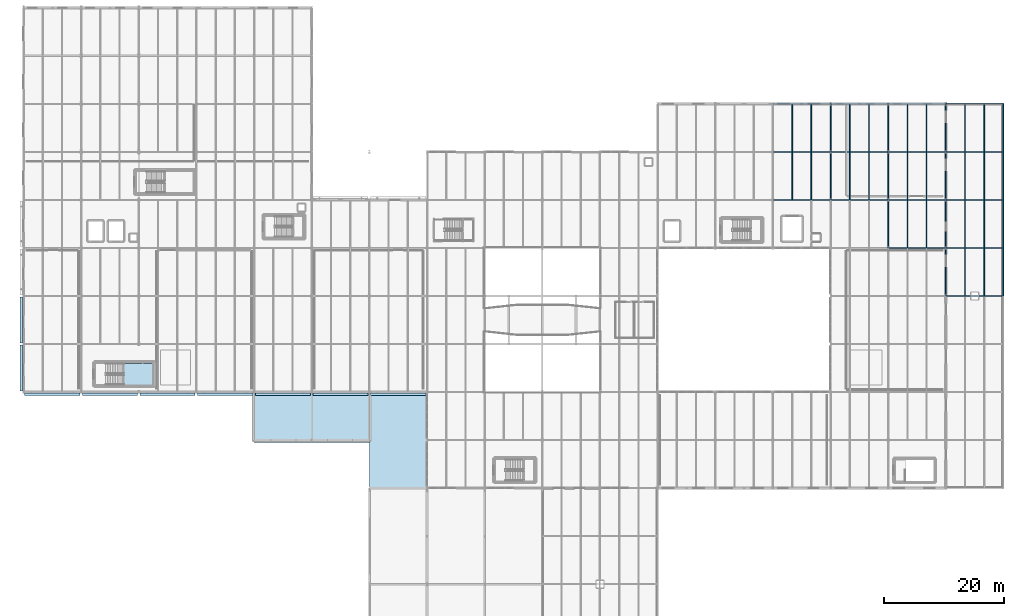
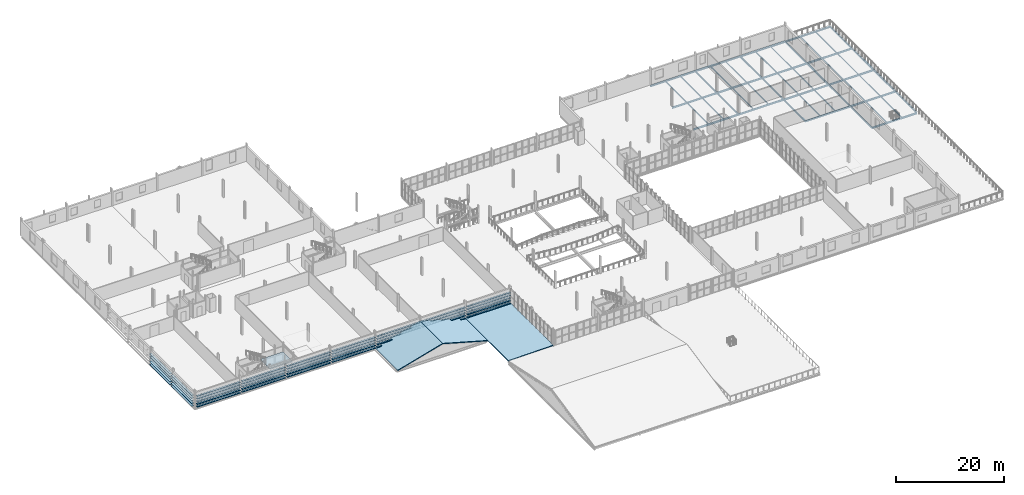
# One storey, part 57 of 85: 50 beams, 45 plates, 4 slabs, 1 element without a shape of its own.
"""IFC4 building model written with IfcOpenShell, lengths in metres."""

from ifc_helpers import new_model, si_unit, direction, frame, origin, origin_2d, place, context, subcontext, project, spatial, polyline, rectangle, i_section, outline, extrude, material, layer, layer_set, material_profile, profile_set, type_object, element, aggregate, save


model = new_model("IFC4")

# Units and contexts
model_context = context("Model", 3, precision=1e-05, world=origin(), true_north=direction((0.0, 1.0)))
body_context = subcontext(model_context, "Body", "Model", "MODEL_VIEW")
ifc_project = project(units=[si_unit("LENGTHUNIT", "METRE"), si_unit("AREAUNIT", "SQUARE_METRE"), si_unit("VOLUMEUNIT", "CUBIC_METRE"), si_unit("PLANEANGLEUNIT", "RADIAN"), si_unit("MASSUNIT", "GRAM", prefix="KILO")], contexts=[model_context])

# Site, building, storey
site_placement = place(None, origin())
site = spatial("IfcSite", under=ifc_project, at=site_placement, CompositionType="ELEMENT")
building_placement = place(site_placement, origin())
building = spatial("IfcBuilding", under=site, at=building_placement, Name="Alderhovde Museum", CompositionType="ELEMENT")
storey_placement = place(building_placement, frame((0.0, 0.0, 8.699951171875)))
storey = spatial("IfcBuildingStorey", under=building, at=storey_placement, Name="L02", CompositionType="ELEMENT", Elevation=8.699951171875)

# Beams
ifc_material_1 = material(Name="Steel S355J2", Category="steel")
ifc_material_profile_1 = material_profile(ifc_material_1, i_section(OverallWidth=0.169921875, OverallDepth=0.360107421875, WebThickness=0.008056640625, FlangeThickness=0.0126953125, FilletRadius=0.01806640625, at=origin_2d()), Name="IPE 360")
ifc_profile_set_1 = profile_set([ifc_material_profile_1], Name="Steel S355J2")
beam_type_1 = type_object("IfcBeamType", Name="BM-IPE360", PredefinedType="BEAM", material=ifc_profile_set_1)
for number, where, z_axis, x_axis, name in (
    (1, (144.0, 80.0, -0.43994140625), (0.0, 1.0, 0.0), (-1.0, 0.0, 0.0), "L02 Grid Beam X=144.0 (80.0 TO 88.0)"),
    (2, (144.0, 88.0, -0.43994140625), (0.0, 1.0, 0.0), (-1.0, 0.0, 0.0), "L02 Grid Beam X=144.0 (88.0 TO 96.0)"),
    (3, (153.60009765625, 72.0, -0.43994140625), (0.0, 1.0, 0.0), (-1.0, 0.0, 0.0), "L02 Grid Beam X=153.6 (72.0 TO 80.0)"),
    (4, (153.60009765625, 80.0, -0.43994140625), (0.0, 1.0, 0.0), (-1.0, 0.0, 0.0), "L02 Grid Beam X=153.6 (80.0 TO 88.0)"),
    (5, (153.60009765625, 88.0, -0.43994140625), (0.0, 1.0, 0.0), (-1.0, 0.0, 0.0), "L02 Grid Beam X=153.6 (88.0 TO 96.0)"),
    (6, (163.199951171875, 64.0, -0.47998046875), (0.0, 1.0, 0.0), (-1.0, 0.0, 0.0), "L02 Grid Beam X=163.2 (64.0 TO 72.0)"),
    (7, (163.199951171875, 72.0, -0.47998046875), (0.0, 1.0, 0.0), (-1.0, 0.0, 0.0), "L02 Grid Beam X=163.2 (72.0 TO 80.0)"),
    (8, (163.199951171875, 80.0, -0.47998046875), (0.0, 1.0, 0.0), (-1.0, 0.0, 0.0), "L02 Grid Beam X=163.2 (80.0 TO 88.0)"),
    (9, (163.199951171875, 88.0, -0.47998046875), (0.0, 1.0, 0.0), (-1.0, 0.0, 0.0), "L02 Grid Beam X=163.2 (88.0 TO 96.0)"),
    (10, (172.800048828125, 64.0, -0.47998046875), (0.0, 1.0, 0.0), (-1.0, 0.0, 0.0), "L02 Grid Beam X=172.8 (64.0 TO 72.0)"),
    (11, (172.800048828125, 72.0, -0.47998046875), (0.0, 1.0, 0.0), (-1.0, 0.0, 0.0), "L02 Grid Beam X=172.8 (72.0 TO 80.0)"),
    (12, (172.800048828125, 80.0, -0.47998046875), (0.0, 1.0, 0.0), (-1.0, 0.0, 0.0), "L02 Grid Beam X=172.8 (80.0 TO 88.0)"),
    (13, (172.800048828125, 88.0, -0.47998046875), (0.0, 1.0, 0.0), (-1.0, 0.0, 0.0), "L02 Grid Beam X=172.8 (88.0 TO 96.0)"),
):
    element("IfcBeam", number, at=place(storey_placement, frame(where, z_axis=z_axis, x_axis=x_axis)), inside=storey, type_object=beam_type_1, Name=name, PredefinedType="BEAM", context=body_context, shape_type="SweptSolid", body=[
        extrude(i_section(OverallWidth=0.169921875, OverallDepth=0.360107421875, WebThickness=0.008056640625, FlangeThickness=0.0126953125, FilletRadius=0.01806640625, at=origin_2d()), origin(), (0.0, 0.0, 1.0), 8.0),
    ])
ifc_material_2 = material(Name="Steel S355J2", Category="steel")
ifc_material_profile_2 = material_profile(ifc_material_2, i_section(OverallWidth=0.179931640625, OverallDepth=0.39990234375, WebThickness=0.008544921875, FlangeThickness=0.013427734375, FilletRadius=0.02099609375, at=origin_2d()), Name="IPE 400")
ifc_profile_set_2 = profile_set([ifc_material_profile_2], Name="Steel S355J2")
beam_type_2 = type_object("IfcBeamType", Name="BM-IPE400", PredefinedType="BEAM", material=ifc_profile_set_2)
beam_1_placement = place(storey_placement, frame((163.199951171875, 64.0, -0.5), z_axis=(1.0, 0.0, 0.0), x_axis=(0.0, 1.0, 0.0)))
element("IfcBeam", 14, at=beam_1_placement, inside=storey, type_object=beam_type_2, Name="L02 Grid Beam Y=64.0 (163.2 TO 172.8)", PredefinedType="BEAM", context=body_context, shape_type="SweptSolid", body=[
    extrude(i_section(OverallWidth=0.179931640625, OverallDepth=0.39990234375, WebThickness=0.008544921875, FlangeThickness=0.013427734375, FilletRadius=0.02099609375, at=origin_2d()), origin(), (0.0, 0.0, 1.0), 9.60009765625),
])
beam_2_placement = place(storey_placement, frame((153.60009765625, 72.0, -0.5), z_axis=(1.0, 0.0, 0.0), x_axis=(0.0, 1.0, 0.0)))
element("IfcBeam", 15, at=beam_2_placement, inside=storey, type_object=beam_type_2, Name="L02 Grid Beam Y=72.0 (153.6 TO 163.2)", PredefinedType="BEAM", context=body_context, shape_type="SweptSolid", body=[
    extrude(i_section(OverallWidth=0.179931640625, OverallDepth=0.39990234375, WebThickness=0.008544921875, FlangeThickness=0.013427734375, FilletRadius=0.02099609375, at=origin_2d()), origin(), (0.0, 0.0, 1.0), 9.599853515625),
])
for number, where, z_axis, x_axis, name in (
    (16, (163.199951171875, 72.0, -0.5), (1.0, 0.0, 0.0), (0.0, 1.0, 0.0), "L02 Grid Beam Y=72.0 (163.2 TO 172.8)"),
    (17, (134.39990234375, 80.0, -0.4599609375), (1.0, 0.0, 0.0), (0.0, 1.0, 0.0), "L02 Grid Beam Y=80.0 (134.4 TO 144.0)"),
    (18, (144.0, 80.0, -0.4599609375), (1.0, 0.0, 0.0), (0.0, 1.0, 0.0), "L02 Grid Beam Y=80.0 (144.0 TO 153.6)"),
):
    element("IfcBeam", number, at=place(storey_placement, frame(where, z_axis=z_axis, x_axis=x_axis)), inside=storey, type_object=beam_type_2, Name=name, PredefinedType="BEAM", context=body_context, shape_type="SweptSolid", body=[
        extrude(i_section(OverallWidth=0.179931640625, OverallDepth=0.39990234375, WebThickness=0.008544921875, FlangeThickness=0.013427734375, FilletRadius=0.02099609375, at=origin_2d()), origin(), (0.0, 0.0, 1.0), 9.60009765625),
    ])
beam_3_placement = place(storey_placement, frame((153.60009765625, 80.0, -0.5), z_axis=(1.0, 0.0, 0.0), x_axis=(0.0, 1.0, 0.0)))
element("IfcBeam", 19, at=beam_3_placement, inside=storey, type_object=beam_type_2, Name="L02 Grid Beam Y=80.0 (153.6 TO 163.2)", PredefinedType="BEAM", context=body_context, shape_type="SweptSolid", body=[
    extrude(i_section(OverallWidth=0.179931640625, OverallDepth=0.39990234375, WebThickness=0.008544921875, FlangeThickness=0.013427734375, FilletRadius=0.02099609375, at=origin_2d()), origin(), (0.0, 0.0, 1.0), 9.599853515625),
])
for number, where, z_axis, x_axis, name in (
    (20, (163.199951171875, 80.0, -0.5), (1.0, 0.0, 0.0), (0.0, 1.0, 0.0), "L02 Grid Beam Y=80.0 (163.2 TO 172.8)"),
    (21, (134.39990234375, 88.0, -0.4599609375), (1.0, 0.0, 0.0), (0.0, 1.0, 0.0), "L02 Grid Beam Y=88.0 (134.4 TO 144.0)"),
    (22, (144.0, 88.0, -0.4599609375), (1.0, 0.0, 0.0), (0.0, 1.0, 0.0), "L02 Grid Beam Y=88.0 (144.0 TO 153.6)"),
):
    element("IfcBeam", number, at=place(storey_placement, frame(where, z_axis=z_axis, x_axis=x_axis)), inside=storey, type_object=beam_type_2, Name=name, PredefinedType="BEAM", context=body_context, shape_type="SweptSolid", body=[
        extrude(i_section(OverallWidth=0.179931640625, OverallDepth=0.39990234375, WebThickness=0.008544921875, FlangeThickness=0.013427734375, FilletRadius=0.02099609375, at=origin_2d()), origin(), (0.0, 0.0, 1.0), 9.60009765625),
    ])
beam_4_placement = place(storey_placement, frame((153.60009765625, 88.0, -0.5), z_axis=(1.0, 0.0, 0.0), x_axis=(0.0, 1.0, 0.0)))
element("IfcBeam", 23, at=beam_4_placement, inside=storey, type_object=beam_type_2, Name="L02 Grid Beam Y=88.0 (153.6 TO 163.2)", PredefinedType="BEAM", context=body_context, shape_type="SweptSolid", body=[
    extrude(i_section(OverallWidth=0.179931640625, OverallDepth=0.39990234375, WebThickness=0.008544921875, FlangeThickness=0.013427734375, FilletRadius=0.02099609375, at=origin_2d()), origin(), (0.0, 0.0, 1.0), 9.599853515625),
])
beam_5_placement = place(storey_placement, frame((163.199951171875, 88.0, -0.5), z_axis=(1.0, 0.0, 0.0), x_axis=(0.0, 1.0, 0.0)))
element("IfcBeam", 24, at=beam_5_placement, inside=storey, type_object=beam_type_2, Name="L02 Grid Beam Y=88.0 (163.2 TO 172.8)", PredefinedType="BEAM", context=body_context, shape_type="SweptSolid", body=[
    extrude(i_section(OverallWidth=0.179931640625, OverallDepth=0.39990234375, WebThickness=0.008544921875, FlangeThickness=0.013427734375, FilletRadius=0.02099609375, at=origin_2d()), origin(), (0.0, 0.0, 1.0), 9.60009765625),
])
ifc_material_3 = material(Name="Steel S355J2", Category="steel")
ifc_material_profile_3 = material_profile(ifc_material_3, i_section(OverallWidth=0.1201171875, OverallDepth=0.239990234375, WebThickness=0.006103515625, FlangeThickness=0.009765625, FilletRadius=0.014892578125, at=origin_2d()), Name="IPE 240")
ifc_profile_set_3 = profile_set([ifc_material_profile_3], Name="Steel S355J2")
beam_type_3 = type_object("IfcBeamType", Name="JST-IPE240", PredefinedType="JOIST", material=ifc_profile_set_3)
beam_6_placement = place(storey_placement, frame((140.800048828125, 80.090087890625, -0.3798828125), z_axis=(0.0, 1.0, 0.0), x_axis=(-1.0, 0.0, 0.0)))
element("IfcBeam", 25, at=beam_6_placement, inside=storey, type_object=beam_type_3, Name="L02 Composite Joist X=140.8 (80.0 TO 88.0)", PredefinedType="JOIST", context=body_context, shape_type="SweptSolid", body=[
    extrude(i_section(OverallWidth=0.1201171875, OverallDepth=0.239990234375, WebThickness=0.006103515625, FlangeThickness=0.009765625, FilletRadius=0.014892578125, at=origin_2d()), origin(), (0.0, 0.0, 1.0), 7.81982421875),
])
beam_7_placement = place(storey_placement, frame((140.800048828125, 88.090087890625, -0.3798828125), z_axis=(0.0, 1.0, 0.0), x_axis=(-1.0, 0.0, 0.0)))
element("IfcBeam", 26, at=beam_7_placement, inside=storey, type_object=beam_type_3, Name="L02 Composite Joist X=140.8 (88.0 TO 96.0)", PredefinedType="JOIST", context=body_context, shape_type="SweptSolid", body=[
    extrude(i_section(OverallWidth=0.1201171875, OverallDepth=0.239990234375, WebThickness=0.006103515625, FlangeThickness=0.009765625, FilletRadius=0.014892578125, at=origin_2d()), origin(), (0.0, 0.0, 1.0), 7.760009765625),
])
beam_8_placement = place(storey_placement, frame((150.39990234375, 80.090087890625, -0.3798828125), z_axis=(0.0, 1.0, 0.0), x_axis=(-1.0, 0.0, 0.0)))
element("IfcBeam", 27, at=beam_8_placement, inside=storey, type_object=beam_type_3, Name="L02 Composite Joist X=150.4 (80.0 TO 88.0)", PredefinedType="JOIST", context=body_context, shape_type="SweptSolid", body=[
    extrude(i_section(OverallWidth=0.1201171875, OverallDepth=0.239990234375, WebThickness=0.006103515625, FlangeThickness=0.009765625, FilletRadius=0.014892578125, at=origin_2d()), origin(), (0.0, 0.0, 1.0), 7.81982421875),
])
beam_9_placement = place(storey_placement, frame((150.39990234375, 88.090087890625, -0.3798828125), z_axis=(0.0, 1.0, 0.0), x_axis=(-1.0, 0.0, 0.0)))
element("IfcBeam", 28, at=beam_9_placement, inside=storey, type_object=beam_type_3, Name="L02 Composite Joist X=150.4 (88.0 TO 96.0)", PredefinedType="JOIST", context=body_context, shape_type="SweptSolid", body=[
    extrude(i_section(OverallWidth=0.1201171875, OverallDepth=0.239990234375, WebThickness=0.006103515625, FlangeThickness=0.009765625, FilletRadius=0.014892578125, at=origin_2d()), origin(), (0.0, 0.0, 1.0), 7.760009765625),
])
for number, where, z_axis, x_axis, name in (
    (29, (160.0, 72.090087890625, -0.3798828125), (0.0, 1.0, 0.0), (-1.0, 0.0, 0.0), "L02 Composite Joist X=160.0 (72.0 TO 80.0)"),
    (30, (160.0, 80.090087890625, -0.3798828125), (0.0, 1.0, 0.0), (-1.0, 0.0, 0.0), "L02 Composite Joist X=160.0 (80.0 TO 88.0)"),
):
    element("IfcBeam", number, at=place(storey_placement, frame(where, z_axis=z_axis, x_axis=x_axis)), inside=storey, type_object=beam_type_3, Name=name, PredefinedType="JOIST", context=body_context, shape_type="SweptSolid", body=[
        extrude(i_section(OverallWidth=0.1201171875, OverallDepth=0.239990234375, WebThickness=0.006103515625, FlangeThickness=0.009765625, FilletRadius=0.014892578125, at=origin_2d()), origin(), (0.0, 0.0, 1.0), 7.81982421875),
    ])
beam_10_placement = place(storey_placement, frame((160.0, 88.090087890625, -0.3798828125), z_axis=(0.0, 1.0, 0.0), x_axis=(-1.0, 0.0, 0.0)))
element("IfcBeam", 31, at=beam_10_placement, inside=storey, type_object=beam_type_3, Name="L02 Composite Joist X=160.0 (88.0 TO 96.0)", PredefinedType="JOIST", context=body_context, shape_type="SweptSolid", body=[
    extrude(i_section(OverallWidth=0.1201171875, OverallDepth=0.239990234375, WebThickness=0.006103515625, FlangeThickness=0.009765625, FilletRadius=0.014892578125, at=origin_2d()), origin(), (0.0, 0.0, 1.0), 7.760009765625),
])
for number, where, z_axis, x_axis, name in (
    (32, (169.60009765625, 64.090087890625, -0.419921875), (0.0, 1.0, 0.0), (-1.0, 0.0, 0.0), "L02 Composite Joist X=169.6 (64.0 TO 72.0)"),
    (33, (169.60009765625, 72.090087890625, -0.419921875), (0.0, 1.0, 0.0), (-1.0, 0.0, 0.0), "L02 Composite Joist X=169.6 (72.0 TO 80.0)"),
    (34, (169.60009765625, 80.090087890625, -0.419921875), (0.0, 1.0, 0.0), (-1.0, 0.0, 0.0), "L02 Composite Joist X=169.6 (80.0 TO 88.0)"),
):
    element("IfcBeam", number, at=place(storey_placement, frame(where, z_axis=z_axis, x_axis=x_axis)), inside=storey, type_object=beam_type_3, Name=name, PredefinedType="JOIST", context=body_context, shape_type="SweptSolid", body=[
        extrude(i_section(OverallWidth=0.1201171875, OverallDepth=0.239990234375, WebThickness=0.006103515625, FlangeThickness=0.009765625, FilletRadius=0.014892578125, at=origin_2d()), origin(), (0.0, 0.0, 1.0), 7.81982421875),
    ])
beam_11_placement = place(storey_placement, frame((169.60009765625, 88.090087890625, -0.419921875), z_axis=(0.0, 1.0, 0.0), x_axis=(-1.0, 0.0, 0.0)))
element("IfcBeam", 35, at=beam_11_placement, inside=storey, type_object=beam_type_3, Name="L02 Composite Joist X=169.6 (88.0 TO 96.0)", PredefinedType="JOIST", context=body_context, shape_type="SweptSolid", body=[
    extrude(i_section(OverallWidth=0.1201171875, OverallDepth=0.239990234375, WebThickness=0.006103515625, FlangeThickness=0.009765625, FilletRadius=0.014892578125, at=origin_2d()), origin(), (0.0, 0.0, 1.0), 7.760009765625),
])
ifc_material_4 = material(Name="Steel S355J2", Category="steel")
ifc_material_profile_4 = material_profile(ifc_material_4, i_section(OverallWidth=0.135009765625, OverallDepth=0.27001953125, WebThickness=0.006591796875, FlangeThickness=0.01025390625, FilletRadius=0.014892578125, at=origin_2d()), Name="IPE 270")
ifc_profile_set_4 = profile_set([ifc_material_profile_4], Name="Steel S355J2")
beam_type_4 = type_object("IfcBeamType", Name="JST-IPE270", PredefinedType="JOIST", material=ifc_profile_set_4)
beam_12_placement = place(storey_placement, frame((137.60009765625, 80.090087890625, -0.39501953125), z_axis=(0.0, 1.0, 0.0), x_axis=(-1.0, 0.0, 0.0)))
element("IfcBeam", 36, at=beam_12_placement, inside=storey, type_object=beam_type_4, Name="L02 Composite Joist X=137.6 (80.0 TO 88.0)", PredefinedType="JOIST", context=body_context, shape_type="SweptSolid", body=[
    extrude(i_section(OverallWidth=0.135009765625, OverallDepth=0.27001953125, WebThickness=0.006591796875, FlangeThickness=0.01025390625, FilletRadius=0.014892578125, at=origin_2d()), origin(), (0.0, 0.0, 1.0), 7.81982421875),
])
beam_13_placement = place(storey_placement, frame((137.60009765625, 88.090087890625, -0.39501953125), z_axis=(0.0, 1.0, 0.0), x_axis=(-1.0, 0.0, 0.0)))
element("IfcBeam", 37, at=beam_13_placement, inside=storey, type_object=beam_type_4, Name="L02 Composite Joist X=137.6 (88.0 TO 96.0)", PredefinedType="JOIST", context=body_context, shape_type="SweptSolid", body=[
    extrude(i_section(OverallWidth=0.135009765625, OverallDepth=0.27001953125, WebThickness=0.006591796875, FlangeThickness=0.01025390625, FilletRadius=0.014892578125, at=origin_2d()), origin(), (0.0, 0.0, 1.0), 7.760009765625),
])
beam_14_placement = place(storey_placement, frame((147.199951171875, 80.090087890625, -0.39501953125), z_axis=(0.0, 1.0, 0.0), x_axis=(-1.0, 0.0, 0.0)))
element("IfcBeam", 38, at=beam_14_placement, inside=storey, type_object=beam_type_4, Name="L02 Composite Joist X=147.2 (80.0 TO 88.0)", PredefinedType="JOIST", context=body_context, shape_type="SweptSolid", body=[
    extrude(i_section(OverallWidth=0.135009765625, OverallDepth=0.27001953125, WebThickness=0.006591796875, FlangeThickness=0.01025390625, FilletRadius=0.014892578125, at=origin_2d()), origin(), (0.0, 0.0, 1.0), 7.81982421875),
])
beam_15_placement = place(storey_placement, frame((147.199951171875, 88.090087890625, -0.39501953125), z_axis=(0.0, 1.0, 0.0), x_axis=(-1.0, 0.0, 0.0)))
element("IfcBeam", 39, at=beam_15_placement, inside=storey, type_object=beam_type_4, Name="L02 Composite Joist X=147.2 (88.0 TO 96.0)", PredefinedType="JOIST", context=body_context, shape_type="SweptSolid", body=[
    extrude(i_section(OverallWidth=0.135009765625, OverallDepth=0.27001953125, WebThickness=0.006591796875, FlangeThickness=0.01025390625, FilletRadius=0.014892578125, at=origin_2d()), origin(), (0.0, 0.0, 1.0), 7.760009765625),
])
for number, where, z_axis, x_axis, name in (
    (40, (156.800048828125, 72.090087890625, -0.39501953125), (0.0, 1.0, 0.0), (-1.0, 0.0, 0.0), "L02 Composite Joist X=156.8 (72.0 TO 80.0)"),
    (41, (156.800048828125, 80.090087890625, -0.39501953125), (0.0, 1.0, 0.0), (-1.0, 0.0, 0.0), "L02 Composite Joist X=156.8 (80.0 TO 88.0)"),
):
    element("IfcBeam", number, at=place(storey_placement, frame(where, z_axis=z_axis, x_axis=x_axis)), inside=storey, type_object=beam_type_4, Name=name, PredefinedType="JOIST", context=body_context, shape_type="SweptSolid", body=[
        extrude(i_section(OverallWidth=0.135009765625, OverallDepth=0.27001953125, WebThickness=0.006591796875, FlangeThickness=0.01025390625, FilletRadius=0.014892578125, at=origin_2d()), origin(), (0.0, 0.0, 1.0), 7.81982421875),
    ])
beam_16_placement = place(storey_placement, frame((156.800048828125, 88.090087890625, -0.39501953125), z_axis=(0.0, 1.0, 0.0), x_axis=(-1.0, 0.0, 0.0)))
element("IfcBeam", 42, at=beam_16_placement, inside=storey, type_object=beam_type_4, Name="L02 Composite Joist X=156.8 (88.0 TO 96.0)", PredefinedType="JOIST", context=body_context, shape_type="SweptSolid", body=[
    extrude(i_section(OverallWidth=0.135009765625, OverallDepth=0.27001953125, WebThickness=0.006591796875, FlangeThickness=0.01025390625, FilletRadius=0.014892578125, at=origin_2d()), origin(), (0.0, 0.0, 1.0), 7.760009765625),
])
for number, where, z_axis, x_axis, name in (
    (43, (166.39990234375, 64.090087890625, -0.43505859375), (0.0, 1.0, 0.0), (-1.0, 0.0, 0.0), "L02 Composite Joist X=166.4 (64.0 TO 72.0)"),
    (44, (166.39990234375, 72.090087890625, -0.43505859375), (0.0, 1.0, 0.0), (-1.0, 0.0, 0.0), "L02 Composite Joist X=166.4 (72.0 TO 80.0)"),
    (45, (166.39990234375, 80.090087890625, -0.43505859375), (0.0, 1.0, 0.0), (-1.0, 0.0, 0.0), "L02 Composite Joist X=166.4 (80.0 TO 88.0)"),
):
    element("IfcBeam", number, at=place(storey_placement, frame(where, z_axis=z_axis, x_axis=x_axis)), inside=storey, type_object=beam_type_4, Name=name, PredefinedType="JOIST", context=body_context, shape_type="SweptSolid", body=[
        extrude(i_section(OverallWidth=0.135009765625, OverallDepth=0.27001953125, WebThickness=0.006591796875, FlangeThickness=0.01025390625, FilletRadius=0.014892578125, at=origin_2d()), origin(), (0.0, 0.0, 1.0), 7.81982421875),
    ])
beam_17_placement = place(storey_placement, frame((166.39990234375, 88.090087890625, -0.43505859375), z_axis=(0.0, 1.0, 0.0), x_axis=(-1.0, 0.0, 0.0)))
element("IfcBeam", 46, at=beam_17_placement, inside=storey, type_object=beam_type_4, Name="L02 Composite Joist X=166.4 (88.0 TO 96.0)", PredefinedType="JOIST", context=body_context, shape_type="SweptSolid", body=[
    extrude(i_section(OverallWidth=0.135009765625, OverallDepth=0.27001953125, WebThickness=0.006591796875, FlangeThickness=0.01025390625, FilletRadius=0.014892578125, at=origin_2d()), origin(), (0.0, 0.0, 1.0), 7.760009765625),
])
ifc_material_5 = material(Name="Steel S355J2", Category="steel")
ifc_material_profile_5 = material_profile(ifc_material_5, i_section(OverallWidth=0.300048828125, OverallDepth=0.2900390625, WebThickness=0.008544921875, FlangeThickness=0.013916015625, FilletRadius=0.027099609375, at=origin_2d()), Name="HEA 300")
ifc_profile_set_5 = profile_set([ifc_material_profile_5], Name="Steel S355J2")
beam_type_5 = type_object("IfcBeamType", Name="SPD-HEA300", PredefinedType="SPANDREL", material=ifc_profile_set_5)
for number, where, z_axis, x_axis, name in (
    (47, (134.39990234375, 96.0, -0.405029296875), (1.0, 0.0, 0.0), (0.0, 1.0, 0.0), "L02 Grid Beam Y=96.0 (134.4 TO 144.0)"),
    (48, (144.0, 96.0, -0.405029296875), (1.0, 0.0, 0.0), (0.0, 1.0, 0.0), "L02 Grid Beam Y=96.0 (144.0 TO 153.6)"),
):
    element("IfcBeam", number, at=place(storey_placement, frame(where, z_axis=z_axis, x_axis=x_axis)), inside=storey, type_object=beam_type_5, Name=name, PredefinedType="SPANDREL", context=body_context, shape_type="SweptSolid", body=[
        extrude(i_section(OverallWidth=0.300048828125, OverallDepth=0.2900390625, WebThickness=0.008544921875, FlangeThickness=0.013916015625, FilletRadius=0.027099609375, at=origin_2d()), origin(), (0.0, 0.0, 1.0), 9.60009765625),
    ])
beam_18_placement = place(storey_placement, frame((153.60009765625, 96.0, -0.445068359375), z_axis=(1.0, 0.0, 0.0), x_axis=(0.0, 1.0, 0.0)))
element("IfcBeam", 49, at=beam_18_placement, inside=storey, type_object=beam_type_5, Name="L02 Grid Beam Y=96.0 (153.6 TO 163.2)", PredefinedType="SPANDREL", context=body_context, shape_type="SweptSolid", body=[
    extrude(i_section(OverallWidth=0.300048828125, OverallDepth=0.2900390625, WebThickness=0.008544921875, FlangeThickness=0.013916015625, FilletRadius=0.027099609375, at=origin_2d()), origin(), (0.0, 0.0, 1.0), 9.599853515625),
])
beam_19_placement = place(storey_placement, frame((163.199951171875, 96.0, -0.445068359375), z_axis=(1.0, 0.0, 0.0), x_axis=(0.0, 1.0, 0.0)))
element("IfcBeam", 50, at=beam_19_placement, inside=storey, type_object=beam_type_5, Name="L02 Grid Beam Y=96.0 (163.2 TO 172.8)", PredefinedType="SPANDREL", context=body_context, shape_type="SweptSolid", body=[
    extrude(i_section(OverallWidth=0.300048828125, OverallDepth=0.2900390625, WebThickness=0.008544921875, FlangeThickness=0.013916015625, FilletRadius=0.027099609375, at=origin_2d()), origin(), (0.0, 0.0, 1.0), 9.60009765625),
])

# Plates
ifc_material_6 = material(Name="Bronze-Anodised Aluminium EN AW-6063-T6", Category="aluminium")
ifc_layer_1 = layer(ifc_material_6, 0.06494140625)
ifc_layer_set_1 = layer_set([ifc_layer_1], Name="Bronze-Anodised Aluminium EN AW-6063-T6")
plate_type = type_object("IfcPlateType", Name="LV-BLADE-450", PredefinedType="USERDEFINED", material=ifc_layer_set_1)
for number, where, z_axis, x_axis, name in (
    (51, (9.2451171875, 52.0, 0.267578125), (0.0, 0.0, 1.0), (0.0, 1.0, 0.0), "L02 Wrap-Around Horizontal Louvre 62"),
    (52, (9.2451171875, 52.0, 0.86767578125), (0.0, 0.0, 1.0), (0.0, 1.0, 0.0), "L02 Wrap-Around Horizontal Louvre 63"),
    (53, (9.2451171875, 52.0, 1.467529296875), (0.0, 0.0, 1.0), (0.0, 1.0, 0.0), "L02 Wrap-Around Horizontal Louvre 64"),
    (54, (9.2451171875, 52.0, 2.067626953125), (0.0, 0.0, 1.0), (0.0, 1.0, 0.0), "L02 Wrap-Around Horizontal Louvre 65"),
    (55, (9.2451171875, 52.0, 2.66748046875), (0.0, 0.0, 1.0), (0.0, 1.0, 0.0), "L02 Wrap-Around Horizontal Louvre 66"),
    (56, (9.2451171875, 60.0, 0.267578125), (0.0, 0.0, 1.0), (0.0, 1.0, 0.0), "L02 Wrap-Around Horizontal Louvre 67"),
    (57, (9.2451171875, 60.0, 0.86767578125), (0.0, 0.0, 1.0), (0.0, 1.0, 0.0), "L02 Wrap-Around Horizontal Louvre 68"),
    (58, (9.2451171875, 60.0, 1.467529296875), (0.0, 0.0, 1.0), (0.0, 1.0, 0.0), "L02 Wrap-Around Horizontal Louvre 69"),
    (59, (9.2451171875, 60.0, 2.067626953125), (0.0, 0.0, 1.0), (0.0, 1.0, 0.0), "L02 Wrap-Around Horizontal Louvre 70"),
    (60, (9.2451171875, 60.0, 2.66748046875), (0.0, 0.0, 1.0), (0.0, 1.0, 0.0), "L02 Wrap-Around Horizontal Louvre 71"),
):
    element("IfcPlate", number, at=place(storey_placement, frame(where, z_axis=z_axis, x_axis=x_axis)), inside=storey, type_object=plate_type, Name=name, ObjectType="LOUVRE BLADE", PredefinedType="USERDEFINED", context=body_context, shape_type="SweptSolid", body=[
        extrude(rectangle(XDim=7.60009765625, YDim=0.449951171875, at=origin_2d()), origin(), (0.0, 0.0, 1.0), 0.06494140625),
    ])
for number, where, z_axis, x_axis, name in (
    (61, (14.39990234375, 47.64501953125, 0.267578125), (0.0, 0.0, 1.0), (1.0, 0.0, 0.0), "L02 Wrap-Around Horizontal Louvre 82"),
    (62, (14.39990234375, 47.64501953125, 0.86767578125), (0.0, 0.0, 1.0), (1.0, 0.0, 0.0), "L02 Wrap-Around Horizontal Louvre 83"),
    (63, (14.39990234375, 47.64501953125, 1.467529296875), (0.0, 0.0, 1.0), (1.0, 0.0, 0.0), "L02 Wrap-Around Horizontal Louvre 84"),
    (64, (14.39990234375, 47.64501953125, 2.067626953125), (0.0, 0.0, 1.0), (1.0, 0.0, 0.0), "L02 Wrap-Around Horizontal Louvre 85"),
    (65, (14.39990234375, 47.64501953125, 2.66748046875), (0.0, 0.0, 1.0), (1.0, 0.0, 0.0), "L02 Wrap-Around Horizontal Louvre 86"),
    (66, (24.0, 47.64501953125, 0.267578125), (0.0, 0.0, 1.0), (1.0, 0.0, 0.0), "L02 Wrap-Around Horizontal Louvre 87"),
    (67, (24.0, 47.64501953125, 0.86767578125), (0.0, 0.0, 1.0), (1.0, 0.0, 0.0), "L02 Wrap-Around Horizontal Louvre 88"),
    (68, (24.0, 47.64501953125, 1.467529296875), (0.0, 0.0, 1.0), (1.0, 0.0, 0.0), "L02 Wrap-Around Horizontal Louvre 89"),
    (69, (24.0, 47.64501953125, 2.067626953125), (0.0, 0.0, 1.0), (1.0, 0.0, 0.0), "L02 Wrap-Around Horizontal Louvre 90"),
    (70, (24.0, 47.64501953125, 2.66748046875), (0.0, 0.0, 1.0), (1.0, 0.0, 0.0), "L02 Wrap-Around Horizontal Louvre 91"),
    (71, (33.60009765625, 47.64501953125, 0.267578125), (0.0, 0.0, 1.0), (1.0, 0.0, 0.0), "L02 Wrap-Around Horizontal Louvre 92"),
    (72, (33.60009765625, 47.64501953125, 0.86767578125), (0.0, 0.0, 1.0), (1.0, 0.0, 0.0), "L02 Wrap-Around Horizontal Louvre 93"),
    (73, (33.60009765625, 47.64501953125, 1.467529296875), (0.0, 0.0, 1.0), (1.0, 0.0, 0.0), "L02 Wrap-Around Horizontal Louvre 94"),
    (74, (33.60009765625, 47.64501953125, 2.067626953125), (0.0, 0.0, 1.0), (1.0, 0.0, 0.0), "L02 Wrap-Around Horizontal Louvre 95"),
    (75, (33.60009765625, 47.64501953125, 2.66748046875), (0.0, 0.0, 1.0), (1.0, 0.0, 0.0), "L02 Wrap-Around Horizontal Louvre 96"),
    (76, (43.199951171875, 47.64501953125, 0.267578125), (0.0, 0.0, 1.0), (1.0, 0.0, 0.0), "L02 Wrap-Around Horizontal Louvre 97"),
    (77, (43.199951171875, 47.64501953125, 0.86767578125), (0.0, 0.0, 1.0), (1.0, 0.0, 0.0), "L02 Wrap-Around Horizontal Louvre 98"),
    (78, (43.199951171875, 47.64501953125, 1.467529296875), (0.0, 0.0, 1.0), (1.0, 0.0, 0.0), "L02 Wrap-Around Horizontal Louvre 99"),
    (79, (43.199951171875, 47.64501953125, 2.067626953125), (0.0, 0.0, 1.0), (1.0, 0.0, 0.0), "L02 Wrap-Around Horizontal Louvre 100"),
    (80, (43.199951171875, 47.64501953125, 2.66748046875), (0.0, 0.0, 1.0), (1.0, 0.0, 0.0), "L02 Wrap-Around Horizontal Louvre 101"),
    (81, (52.800048828125, 47.64501953125, 0.267578125), (0.0, 0.0, 1.0), (1.0, 0.0, 0.0), "L02 Wrap-Around Horizontal Louvre 102"),
    (82, (52.800048828125, 47.64501953125, 0.86767578125), (0.0, 0.0, 1.0), (1.0, 0.0, 0.0), "L02 Wrap-Around Horizontal Louvre 103"),
    (83, (52.800048828125, 47.64501953125, 1.467529296875), (0.0, 0.0, 1.0), (1.0, 0.0, 0.0), "L02 Wrap-Around Horizontal Louvre 104"),
    (84, (52.800048828125, 47.64501953125, 2.067626953125), (0.0, 0.0, 1.0), (1.0, 0.0, 0.0), "L02 Wrap-Around Horizontal Louvre 105"),
    (85, (52.800048828125, 47.64501953125, 2.66748046875), (0.0, 0.0, 1.0), (1.0, 0.0, 0.0), "L02 Wrap-Around Horizontal Louvre 106"),
    (86, (62.39990234375, 47.64501953125, 0.267578125), (0.0, 0.0, 1.0), (1.0, 0.0, 0.0), "L02 Wrap-Around Horizontal Louvre 107"),
    (87, (62.39990234375, 47.64501953125, 0.86767578125), (0.0, 0.0, 1.0), (1.0, 0.0, 0.0), "L02 Wrap-Around Horizontal Louvre 108"),
    (88, (62.39990234375, 47.64501953125, 1.467529296875), (0.0, 0.0, 1.0), (1.0, 0.0, 0.0), "L02 Wrap-Around Horizontal Louvre 109"),
    (89, (62.39990234375, 47.64501953125, 2.067626953125), (0.0, 0.0, 1.0), (1.0, 0.0, 0.0), "L02 Wrap-Around Horizontal Louvre 110"),
    (90, (62.39990234375, 47.64501953125, 2.66748046875), (0.0, 0.0, 1.0), (1.0, 0.0, 0.0), "L02 Wrap-Around Horizontal Louvre 111"),
    (91, (72.0, 47.64501953125, 0.267578125), (0.0, 0.0, 1.0), (1.0, 0.0, 0.0), "L02 Wrap-Around Horizontal Louvre 112"),
    (92, (72.0, 47.64501953125, 0.86767578125), (0.0, 0.0, 1.0), (1.0, 0.0, 0.0), "L02 Wrap-Around Horizontal Louvre 113"),
    (93, (72.0, 47.64501953125, 1.467529296875), (0.0, 0.0, 1.0), (1.0, 0.0, 0.0), "L02 Wrap-Around Horizontal Louvre 114"),
    (94, (72.0, 47.64501953125, 2.067626953125), (0.0, 0.0, 1.0), (1.0, 0.0, 0.0), "L02 Wrap-Around Horizontal Louvre 115"),
    (95, (72.0, 47.64501953125, 2.66748046875), (0.0, 0.0, 1.0), (1.0, 0.0, 0.0), "L02 Wrap-Around Horizontal Louvre 116"),
):
    element("IfcPlate", number, at=place(storey_placement, frame(where, z_axis=z_axis, x_axis=x_axis)), inside=storey, type_object=plate_type, Name=name, ObjectType="LOUVRE BLADE", PredefinedType="USERDEFINED", context=body_context, shape_type="SweptSolid", body=[
        extrude(rectangle(XDim=9.199951171875, YDim=0.449951171875, at=origin_2d()), origin(), (0.0, 0.0, 1.0), 0.06494140625),
    ])

# Stair, slab
ifc_material_7 = material(Name="Concrete C35/45", Category="concrete")
stair_type = type_object("IfcStairType", Name="STR-1500-4200", PredefinedType="HALF_TURN_STAIR", material=ifc_material_7)
stair_placement = place(storey_placement, origin())
stair = element("IfcStair", 96, at=stair_placement, inside=storey, type_object=stair_type, Name="L02 Escape Stair ST1", PredefinedType="HALF_TURN_STAIR")
ifc_material_8 = material(Name="Concrete C35/45", Category="concrete")
ifc_layer_2 = layer(ifc_material_8, 0.199951171875)
ifc_layer_set_2 = layer_set([ifc_layer_2], Name="Concrete C35/45")
slab_type_1 = type_object("IfcSlabType", Name="SLB-LANDING-200", PredefinedType="LANDING", material=ifc_layer_set_2)
slab_1_placement = place(storey_placement, frame((0.0, 0.0, 1.900146484375)))
slab_1 = element("IfcSlab", 97, at=slab_1_placement, type_object=slab_type_1, Name="ST1 landing 1", PredefinedType="LANDING", context=body_context, shape_type="SweptSolid", body=[
    extrude(outline(polyline([(26.360107421875, 49.199951171875), (31.1201171875, 49.199951171875), (31.1201171875, 52.760009765625), (26.360107421875, 52.760009765625), (26.360107421875, 49.199951171875)])), origin(), (0.0, 0.0, 1.0), 0.199951171875),
])
aggregate(stair, [slab_1])

# Slabs
ifc_material_9 = material(Name="Concrete C35/45", Category="concrete")
ifc_layer_3 = layer(ifc_material_9, 0.179931640625)
ifc_layer_set_3 = layer_set([ifc_layer_3], Name="Concrete C35/45")
slab_type_2 = type_object("IfcSlabType", Name="SLB-ROOF-180", PredefinedType="ROOF", material=ifc_layer_set_3)
slab_2_placement = place(storey_placement, frame((48.0, 39.60009765625, 0.0), z_axis=(-0.270738487309, 0.0, 0.962652934078), x_axis=(0.962652934078, 0.0, 0.270738487309)))
element("IfcSlab", 98, at=slab_2_placement, inside=storey, type_object=slab_type_2, Name="Beaux-Arts Portico West Pediment Roof", PredefinedType="ROOF", context=body_context, shape_type="SweptSolid", body=[
    extrude(outline(polyline([(0.0, 0.0), (9.972542872309246, 0.0), (9.972542872309246, 8.399902343750002), (0.0, 8.399902343750002), (0.0, 0.0)])), origin(), (0.0, 0.0, -1.0), 0.179931640625),
])
slab_3_placement = place(storey_placement, frame((57.60009765625, 39.60009765625, 2.699951171875), z_axis=(0.270744867941, 0.0, 0.962651139553), x_axis=(0.962651139553, 0.0, -0.270744867941)))
element("IfcSlab", 99, at=slab_3_placement, inside=storey, type_object=slab_type_2, Name="Beaux-Arts Portico East Pediment Roof", PredefinedType="ROOF", context=body_context, shape_type="SweptSolid", body=[
    extrude(outline(polyline([(0.0, 0.0), (9.972307849839318, 0.0), (9.972307849839318, 8.399902343750002), (0.0, 8.399902343750002), (0.0, 0.0)])), origin(), (0.0, 0.0, -1.0), 0.179931640625),
])
ifc_material_10 = material(Name="Concrete C35/45", Category="concrete")
ifc_layer_4 = layer(ifc_material_10, 0.199951171875)
ifc_layer_set_4 = layer_set([ifc_layer_4], Name="Concrete C35/45")
slab_type_3 = type_object("IfcSlabType", Name="SLB-ROOF-200", PredefinedType="ROOF", material=ifc_layer_set_4)
slab_4_placement = place(storey_placement, frame((67.199951171875, 32.0, 0.0400390625), z_axis=(-0.014570448436, 0.0, 0.999893845382), x_axis=(0.999893845382, 0.0, 0.014570448436)))
element("IfcSlab", 100, at=slab_4_placement, inside=storey, type_object=slab_type_3, Name="Courtyard Link Pavilion Sloped Roof", PredefinedType="ROOF", context=body_context, shape_type="SweptSolid", body=[
    extrude(outline(polyline([(0.0, 0.0), (9.601116859144629, 0.0), (9.601116859144629, 16.0), (0.0, 16.0), (0.0, 0.0)])), origin(), (0.0, 0.0, -1.0), 0.199951171875),
])

save(model, "model.ifc")
